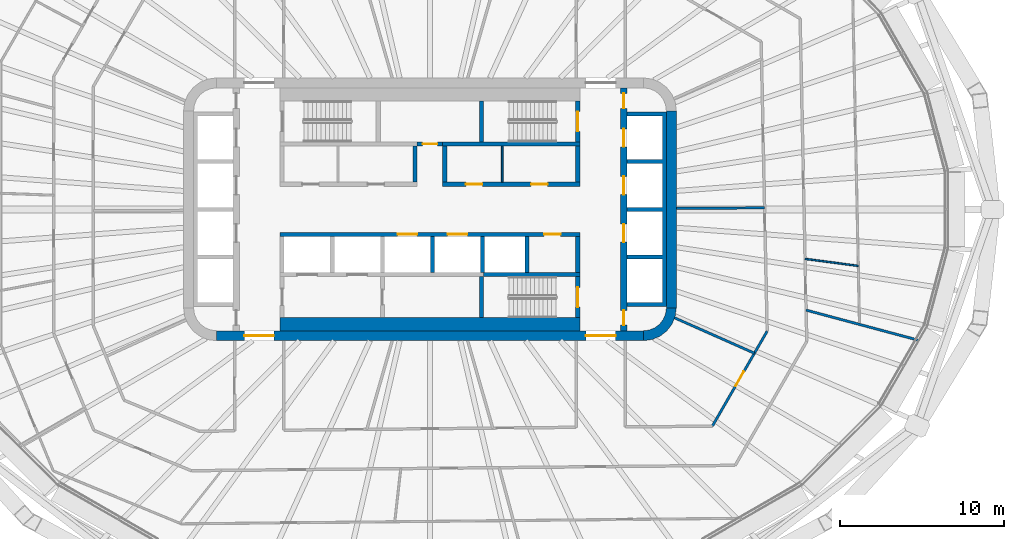
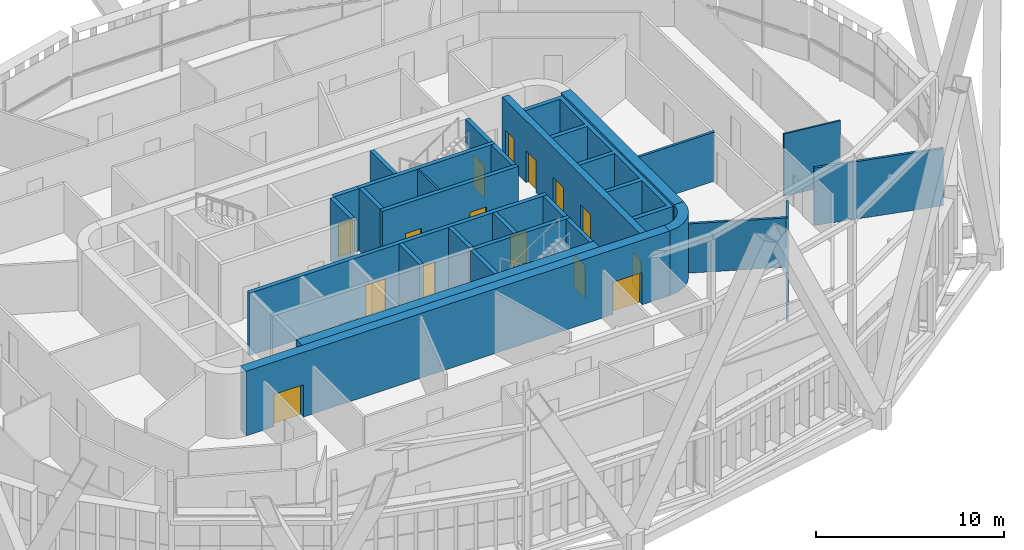
# One storey, part 15 of 25: 28 walls, 16 doors, 16 openings.
"""IFC4 building model written with IfcOpenShell, lengths in metres."""

import ifcopenshell
import ifcopenshell.guid

model = None  # the IFC model being written
_history = None  # IfcOwnerHistory: only IFC2X3 demands one
_inside = {}  # id of a spatial element -> (the spatial element, [elements in it])
_under = {}  # id of a project, library or spatial element -> (it, [spatial elements below it])
_declared = {}  # id of a project -> (the project, [libraries it declares])
_typed = {}  # id of a type object -> (the type object, [elements of that type])
_made_of = {}  # id of a material, layer set ... -> (it, [elements and type objects made of it])


def new_model(schema):
    """Start an empty IFC model of exactly this schema.

    Asked for "IFC4X3", IfcOpenShell would pick the latest addendum, in which some entities
    have other attributes; the version numbers below select the first issue.
    IFC2X3 requires an IfcOwnerHistory on every rooted entity: one is made here for all.
    """
    global model, _history
    if schema == "IFC4X3":
        model = ifcopenshell.file(schema_version=(4, 3, 0, 0))
    else:
        model = ifcopenshell.file(schema=schema)
    _inside.clear()
    _under.clear()
    _declared.clear()
    _typed.clear()
    _made_of.clear()
    _history = None
    if model.schema == "IFC2X3":
        org = make("IfcOrganization", Name="unknown")
        user = make(
            "IfcPersonAndOrganization",
            ThePerson=make("IfcPerson", FamilyName="unknown"),
            TheOrganization=org,
        )
        app = make(
            "IfcApplication",
            ApplicationDeveloper=org,
            Version="unknown",
            ApplicationFullName="unknown",
            ApplicationIdentifier="unknown",
        )
        _history = make(
            "IfcOwnerHistory",
            OwningUser=user,
            OwningApplication=app,
            ChangeAction="ADDED",
            CreationDate=0,
        )
    return model


def make(cls, **values):
    """One entity of the class cls with the attributes given. An attribute that is None is left unset."""
    return model.create_entity(
        cls, **{name: value for name, value in values.items() if value is not None}
    )


def rooted(cls, **values):
    """An entity with a GlobalId (a new one), such as an element, a storey or a relation."""
    return make(cls, GlobalId=ifcopenshell.guid.new(), OwnerHistory=_history, **values)


def si_unit(unit_type, name, prefix=None):
    """IfcSIUnit, for example si_unit("LENGTHUNIT", "METRE", prefix="MILLI")."""
    return make("IfcSIUnit", UnitType=unit_type, Prefix=prefix, Name=name)


def assignment(units):
    """IfcUnitAssignment: the units of a project."""
    return None if units is None else make("IfcUnitAssignment", Units=units)


def point(xyz):
    """IfcCartesianPoint."""
    return None if xyz is None else make("IfcCartesianPoint", Coordinates=xyz)


def direction(xyz):
    """IfcDirection."""
    return None if xyz is None else make("IfcDirection", DirectionRatios=xyz)


def frame(location, z_axis=None, x_axis=None):
    """IfcAxis2Placement3D, a coordinate frame: its origin and axes. An axis left out is left unset."""
    return make(
        "IfcAxis2Placement3D",
        Location=point(location),
        Axis=direction(z_axis),
        RefDirection=direction(x_axis),
    )


def frame_2d(location, x_axis=None):
    """IfcAxis2Placement2D, a coordinate frame in the plane: its origin and x axis."""
    return make(
        "IfcAxis2Placement2D", Location=point(location), RefDirection=direction(x_axis)
    )


def origin():
    """The frame at (0, 0, 0) with its axes left unset."""
    return frame((0.0, 0.0, 0.0))


def place(relative_to, where):
    """IfcLocalPlacement: puts the frame where relative to a parent placement (None: the world)."""
    return make(
        "IfcLocalPlacement", PlacementRelTo=relative_to, RelativePlacement=where
    )


def context(
    kind, dimensions, precision=None, world=None, true_north=None, identifier=None
):
    """IfcGeometricRepresentationContext, for example the 3D "Model" context."""
    return make(
        "IfcGeometricRepresentationContext",
        ContextIdentifier=identifier,
        ContextType=kind,
        CoordinateSpaceDimension=dimensions,
        Precision=precision,
        WorldCoordinateSystem=world,
        TrueNorth=true_north,
    )


def subcontext(parent, identifier, kind, view, scale=None):
    """IfcGeometricRepresentationSubContext, for example "Body" below "Model"."""
    return make(
        "IfcGeometricRepresentationSubContext",
        ContextIdentifier=identifier,
        ContextType=kind,
        ParentContext=parent,
        TargetScale=scale,
        TargetView=view,
    )


def project(units=None, contexts=None):
    """IfcProject with its units and contexts."""
    return rooted(
        "IfcProject",
        Name="project",
        RepresentationContexts=contexts,
        UnitsInContext=assignment(units),
    )


def spatial(cls, under=None, at=None, **own):
    """A site, building, storey or space (cls), placed at a placement, below another one or the project."""
    s = rooted(cls, ObjectPlacement=at, **own)
    if under is not None:
        _under.setdefault(under.id(), (under, []))[1].append(s)
    return s


def polyline(points):
    """IfcPolyline through the points."""
    return make("IfcPolyline", Points=[point(p) for p in points])


def profile(cls, at=None, kind="AREA", **sizes):
    """A parametric profile (cls). Its sizes go by their IFC names, for example OverallWidth=200.0."""
    return make(cls, ProfileType=kind, Position=at, **sizes)


def rectangle(**sizes):
    """IfcRectangleProfileDef."""
    return profile("IfcRectangleProfileDef", **sizes)


def outline(outer, holes=None, kind="AREA"):
    """IfcArbitraryClosedProfileDef: a profile drawn as a closed curve; with holes, ...WithVoids."""
    if holes is None:
        return make("IfcArbitraryClosedProfileDef", ProfileType=kind, OuterCurve=outer)
    return make(
        "IfcArbitraryProfileDefWithVoids",
        ProfileType=kind,
        OuterCurve=outer,
        InnerCurves=holes,
    )


def extrude(swept, where, along, depth):
    """IfcExtrudedAreaSolid: the profile swept, set in the frame where, extruded along a direction by depth."""
    return make(
        "IfcExtrudedAreaSolid",
        SweptArea=swept,
        Position=where,
        ExtrudedDirection=direction(along),
        Depth=depth,
    )


def shape(context_of_items, identifier, shape_type, items):
    """IfcShapeRepresentation: the items that make up one representation, for example the "Body"."""
    return make(
        "IfcShapeRepresentation",
        ContextOfItems=context_of_items,
        RepresentationIdentifier=identifier,
        RepresentationType=shape_type,
        Items=items,
    )


def material(Name=None, Category=None):
    """IfcMaterial."""
    return make("IfcMaterial", Name=Name, Category=Category)


def layer(
    of_material, thickness, ventilated=None, Name=None, Category=None, Priority=None
):
    """IfcMaterialLayer: one layer of a wall or slab, of a material (None: an air gap)."""
    return make(
        "IfcMaterialLayer",
        Material=of_material,
        LayerThickness=thickness,
        IsVentilated=ventilated,
        Name=Name,
        Category=Category,
        Priority=Priority,
    )


def layer_set(layers, Name=None):
    """IfcMaterialLayerSet."""
    return make("IfcMaterialLayerSet", MaterialLayers=layers, LayerSetName=Name)


def made_of(thing, what):
    """Note that an element or type object is made of a material, layer set ...; save() writes the relation."""
    if what is not None:
        _made_of.setdefault(what.id(), (what, []))[1].append(thing)
    return thing


def type_object(cls, material=None, **own):
    """A type object (cls), such as IfcWallType, which elements share."""
    return made_of(rooted(cls, **own), material)


def element(
    cls,
    number,
    at=None,
    inside=None,
    cuts=None,
    type_object=None,
    material=None,
    context=None,
    identifier="Body",
    shape_type=None,
    held_by="IfcProductDefinitionShape",
    body=None,
    shapes=None,
    **own,
):
    """One element of the class cls, such as IfcWall. Its Tag is "e" and its number.

    at: its placement. inside: the storey or other place that contains it. cuts: it is an
    opening in that element (IfcRelVoidsElement). A single representation is given by context,
    identifier, shape_type and body (its items); several are given by shapes. held_by: the class
    of the entity that holds the representations. save() writes the other relations.
    """
    e = rooted(cls, Tag="e%d" % number, ObjectPlacement=at, **own)
    if body is not None:
        shapes = [shape(context, identifier, shape_type, body)]
    if shapes is not None:
        e.Representation = make(held_by, Representations=shapes)
    if inside is not None:
        _inside.setdefault(inside.id(), (inside, []))[1].append(e)
    if cuts is not None:
        rooted(
            "IfcRelVoidsElement", RelatingBuildingElement=cuts, RelatedOpeningElement=e
        )
    if type_object is not None:
        _typed.setdefault(type_object.id(), (type_object, []))[1].append(e)
    return made_of(e, material)


def fill(opening, filler):
    """IfcRelFillsElement: the door or window that sits in an opening."""
    return rooted(
        "IfcRelFillsElement",
        RelatingOpeningElement=opening,
        RelatedBuildingElement=filler,
    )


def aggregate(whole, parts):
    """IfcRelAggregates: a whole, such as a stair, and the parts it consists of."""
    return rooted("IfcRelAggregates", RelatingObject=whole, RelatedObjects=parts)


def save(model, path):
    """Write the relations noted so far, then the file.

    IfcRelAggregates (storeys below a building ...), IfcRelContainedInSpatialStructure (elements
    in a storey), IfcRelDefinesByType, IfcRelAssociatesMaterial and IfcRelDeclares: one each for
    every whole, place, type object, material and project.
    """
    for whole, parts in _under.values():
        aggregate(whole, parts)
    for where, things in _inside.values():
        rooted(
            "IfcRelContainedInSpatialStructure",
            RelatedElements=things,
            RelatingStructure=where,
        )
    for kind, things in _typed.values():
        rooted("IfcRelDefinesByType", RelatedObjects=things, RelatingType=kind)
    for what, things in _made_of.values():
        rooted("IfcRelAssociatesMaterial", RelatedObjects=things, RelatingMaterial=what)
    for by, libraries in _declared.values():
        rooted("IfcRelDeclares", RelatingContext=by, RelatedDefinitions=libraries)
    model.write(path)


model = new_model("IFC4")

# Units and contexts
model_context = context("Model", 3, precision=1e-05, world=origin(), true_north=direction((0.0, 1.0)))
body_context = subcontext(model_context, "Body", "Model", "MODEL_VIEW")
ifc_project = project(units=[si_unit("LENGTHUNIT", "METRE"), si_unit("AREAUNIT", "SQUARE_METRE"), si_unit("VOLUMEUNIT", "CUBIC_METRE"), si_unit("PLANEANGLEUNIT", "RADIAN"), si_unit("MASSUNIT", "GRAM", prefix="KILO")], contexts=[model_context])

# Site, building, storey
site_placement = place(None, origin())
site = spatial("IfcSite", under=ifc_project, at=site_placement, CompositionType="ELEMENT")
building_placement = place(site_placement, origin())
building = spatial("IfcBuilding", under=site, at=building_placement, Name="Sahrelin Media Tower", CompositionType="ELEMENT")
storey_placement = place(building_placement, frame((0.0, 0.0, 79.800048828125)))
storey = spatial("IfcBuildingStorey", under=building, at=storey_placement, Name="L14", CompositionType="ELEMENT", Elevation=79.800048828125)

# Wall, openings, doors
ifc_material_1 = material(Name="Concrete C60/75", Category="concrete")
ifc_layer_1 = layer(ifc_material_1, 0.60009765625)
ifc_layer_set_1 = layer_set([ifc_layer_1], Name="Core wall 600")
wall_type_1 = type_object("IfcWallType", Name="Core wall 600", PredefinedType="SHEAR", material=ifc_layer_set_1)
wall_1_placement = place(storey_placement, frame((-13.0, -7.699951171875, 0.0), z_axis=(0.0, 0.0, 1.0), x_axis=(1.0, 0.0, 0.0)))
wall_1 = element("IfcWall", 1, at=wall_1_placement, inside=storey, type_object=wall_type_1, Name="Core wall S L14", PredefinedType="SHEAR", context=body_context, shape_type="SweptSolid", body=[
    extrude(rectangle(XDim=26.0, YDim=0.60009765625, at=frame_2d((13.0, 0.0))), origin(), (0.0, 0.0, 1.0), 4.199951171875),
])
opening_1_placement = place(wall_1_placement, frame((1.699951171875, 0.0, 0.0)))
opening_1 = element("IfcOpeningElement", 2, at=opening_1_placement, cuts=wall_1, Name="Opening L14-D18", PredefinedType="OPENING", context=body_context, shape_type="SweptSolid", body=[
    extrude(rectangle(XDim=1.800048828125, YDim=2.10009765625, at=frame_2d((0.89990234375, 1.050048828125))), frame((0.0, 0.300048828125, 0.0), z_axis=(0.0, -1.0, 0.0), x_axis=(1.0, 0.0, 0.0)), (0.0, 0.0, 1.0), 0.60009765625),
])
opening_2_placement = place(wall_1_placement, frame((22.5, 0.0, 0.0)))
opening_2 = element("IfcOpeningElement", 3, at=opening_2_placement, cuts=wall_1, Name="Opening L14-D19", PredefinedType="OPENING", context=body_context, shape_type="SweptSolid", body=[
    extrude(rectangle(XDim=1.800048828125, YDim=2.10009765625, at=frame_2d((0.89990234375, 1.050048828125))), frame((0.0, 0.300048828125, 0.0), z_axis=(0.0, -1.0, 0.0), x_axis=(1.0, 0.0, 0.0)), (0.0, 0.0, 1.0), 0.60009765625),
])
ifc_material_2 = material(Name="Steel fire door leaf", Category="steel")
door_type_1 = type_object("IfcDoorType", Name="Lobby double door 1800 x 2100 EI 60", OperationType="DOUBLE_DOOR_SINGLE_SWING", PredefinedType="DOOR", material=ifc_material_2)
door_1_placement = place(opening_1_placement, origin())
door_1 = element("IfcDoor", 4, at=door_1_placement, inside=storey, type_object=door_type_1, Name="Lobby door", OperationType="DOUBLE_DOOR_SINGLE_SWING", OverallHeight=2.10009765625, OverallWidth=1.800048828125, PredefinedType="DOOR", context=body_context, shape_type="SweptSolid", body=[
    extrude(rectangle(XDim=1.800048828125, YDim=2.10009765625, at=frame_2d((0.89990234375, 1.050048828125))), frame((0.0, 0.02490234375, 0.0), z_axis=(0.0, -1.0, 0.0), x_axis=(1.0, 0.0, 0.0)), (0.0, 0.0, 1.0), 0.050048828125),
])
fill(opening_1, door_1)
door_2_placement = place(opening_2_placement, origin())
door_2 = element("IfcDoor", 5, at=door_2_placement, inside=storey, type_object=door_type_1, Name="Lobby door", OperationType="DOUBLE_DOOR_SINGLE_SWING", OverallHeight=2.10009765625, OverallWidth=1.800048828125, PredefinedType="DOOR", context=body_context, shape_type="SweptSolid", body=[
    extrude(rectangle(XDim=1.800048828125, YDim=2.10009765625, at=frame_2d((0.89990234375, 1.050048828125))), frame((0.0, 0.02490234375, 0.0), z_axis=(0.0, -1.0, 0.0), x_axis=(1.0, 0.0, 0.0)), (0.0, 0.0, 1.0), 0.050048828125),
])
fill(opening_2, door_2)

# Walls
wall_2_placement = place(storey_placement, frame((14.699951171875, -6.0, 0.0), z_axis=(0.0, 0.0, 1.0), x_axis=(0.0, 1.0, 0.0)))
element("IfcWall", 6, at=wall_2_placement, inside=storey, type_object=wall_type_1, Name="Core wall E L14", PredefinedType="SHEAR", context=body_context, shape_type="SweptSolid", body=[
    extrude(rectangle(XDim=12.0, YDim=0.60009765625, at=frame_2d((6.0, 0.0))), origin(), (0.0, 0.0, 1.0), 4.199951171875),
])
placement = place(storey_placement, origin())
element("IfcWall", 7, at=placement, inside=storey, type_object=wall_type_1, Name="Core wall corner SE L14", PredefinedType="SHEAR", context=body_context, shape_type="SweptSolid", body=[
    extrude(outline(polyline([(15.0, -6.0), (14.394775390625, -6.0), (14.347412109375, -6.361083984375), (14.2080078125, -6.697509765625), (13.986328125, -6.986328125), (13.697509765625, -7.2080078125), (13.361083984375, -7.347412109375), (13.0, -7.394775390625), (13.0, -8.0), (13.517578125, -7.931884765625), (14.0, -7.732177734375), (14.414306640625, -7.414306640625), (14.732177734375, -7.0), (14.931884765625, -6.517578125), (15.0, -6.0)])), origin(), (0.0, 0.0, 1.0), 4.199951171875),
])

# Wall, opening, door
ifc_material_3 = material(Name="Fire-rated gypsum board partition")
ifc_layer_2 = layer(ifc_material_3, 0.25)
ifc_layer_set_2 = layer_set([ifc_layer_2], Name="Fire-rated lobby wall 250")
wall_type_2 = type_object("IfcWallType", Name="Fire-rated lobby wall 250", PredefinedType="PARTITIONING", material=ifc_layer_set_2)
wall_4_placement = place(storey_placement, frame((-0.77490234375, 3.97509765625, 0.0), z_axis=(0.0, 0.0, 1.0), x_axis=(1.0, 0.0, 0.0)))
wall_4 = element("IfcWall", 8, at=wall_4_placement, inside=storey, type_object=wall_type_2, Name="Core lobby wall", PredefinedType="PARTITIONING", context=body_context, shape_type="SweptSolid", body=[
    extrude(rectangle(XDim=1.5498046875, YDim=0.25, at=frame_2d((0.77490234375, 0.0))), origin(), (0.0, 0.0, 1.0), 4.050048828125),
])
opening_3_placement = place(wall_4_placement, frame((0.324951171875, 0.0, 0.0)))
opening_3 = element("IfcOpeningElement", 9, at=opening_3_placement, cuts=wall_4, Name="Opening L14-D06", PredefinedType="OPENING", context=body_context, shape_type="SweptSolid", body=[
    extrude(rectangle(XDim=0.89990234375, YDim=2.10009765625, at=frame_2d((0.449951171875, 1.050048828125))), frame((0.0, 0.125, 0.0), z_axis=(0.0, -1.0, 0.0), x_axis=(1.0, 0.0, 0.0)), (0.0, 0.0, 1.0), 0.25),
])
door_type_2 = type_object("IfcDoorType", Name="Riser door 900 x 2100 EI 120", OperationType="NOTDEFINED", PredefinedType="DOOR", material=ifc_material_2)
door_3_placement = place(opening_3_placement, origin())
door_3 = element("IfcDoor", 10, at=door_3_placement, inside=storey, type_object=door_type_2, Name="Core room door", OperationType="SINGLE_SWING_LEFT", OverallHeight=2.10009765625, OverallWidth=0.89990234375, PredefinedType="DOOR", context=body_context, shape_type="SweptSolid", body=[
    extrude(rectangle(XDim=0.89990234375, YDim=2.10009765625, at=frame_2d((0.449951171875, 1.050048828125))), frame((0.0, 0.02490234375, 0.0), z_axis=(0.0, -1.0, 0.0), x_axis=(1.0, 0.0, 0.0)), (0.0, 0.0, 1.0), 0.050048828125),
])
fill(opening_3, door_3)

# Wall, openings, doors
wall_5_placement = place(storey_placement, frame((0.77490234375, 1.52490234375, 0.0), z_axis=(0.0, 0.0, 1.0), x_axis=(1.0, 0.0, 0.0)))
wall_5 = element("IfcWall", 11, at=wall_5_placement, inside=storey, type_object=wall_type_2, Name="Core lobby wall", PredefinedType="PARTITIONING", context=body_context, shape_type="SweptSolid", body=[
    extrude(rectangle(XDim=8.35009765625, YDim=0.25, at=frame_2d((4.175048828125, 0.0))), origin(), (0.0, 0.0, 1.0), 4.050048828125),
])
opening_4_placement = place(wall_5_placement, frame((1.41259765625, 0.0, 0.0)))
opening_4 = element("IfcOpeningElement", 12, at=opening_4_placement, cuts=wall_5, Name="Opening L14-D09", PredefinedType="OPENING", context=body_context, shape_type="SweptSolid", body=[
    extrude(rectangle(XDim=1.0, YDim=2.10009765625, at=frame_2d((0.5, 1.050048828125))), frame((0.0, 0.125, 0.0), z_axis=(0.0, -1.0, 0.0), x_axis=(1.0, 0.0, 0.0)), (0.0, 0.0, 1.0), 0.25),
])
opening_5_placement = place(wall_5_placement, frame((5.387451171875, 0.0, 0.0)))
opening_5 = element("IfcOpeningElement", 13, at=opening_5_placement, cuts=wall_5, Name="Opening L14-D10", PredefinedType="OPENING", context=body_context, shape_type="SweptSolid", body=[
    extrude(rectangle(XDim=1.0, YDim=2.10009765625, at=frame_2d((0.5, 1.050048828125))), frame((0.0, 0.125, 0.0), z_axis=(0.0, -1.0, 0.0), x_axis=(1.0, 0.0, 0.0)), (0.0, 0.0, 1.0), 0.25),
])
door_type_3 = type_object("IfcDoorType", Name="Fire door 1000 x 2100 EI 60", OperationType="NOTDEFINED", PredefinedType="DOOR", material=ifc_material_2)
door_4_placement = place(opening_4_placement, origin())
door_4 = element("IfcDoor", 14, at=door_4_placement, inside=storey, type_object=door_type_3, Name="Core room door", OperationType="SINGLE_SWING_LEFT", OverallHeight=2.10009765625, OverallWidth=1.0, PredefinedType="DOOR", context=body_context, shape_type="SweptSolid", body=[
    extrude(rectangle(XDim=1.0, YDim=2.10009765625, at=frame_2d((0.5, 1.050048828125))), frame((0.0, 0.02490234375, 0.0), z_axis=(0.0, -1.0, 0.0), x_axis=(1.0, 0.0, 0.0)), (0.0, 0.0, 1.0), 0.050048828125),
])
fill(opening_4, door_4)
door_5_placement = place(opening_5_placement, origin())
door_5 = element("IfcDoor", 15, at=door_5_placement, inside=storey, type_object=door_type_3, Name="Core room door", OperationType="SINGLE_SWING_LEFT", OverallHeight=2.10009765625, OverallWidth=1.0, PredefinedType="DOOR", context=body_context, shape_type="SweptSolid", body=[
    extrude(rectangle(XDim=1.0, YDim=2.10009765625, at=frame_2d((0.5, 1.050048828125))), frame((0.0, 0.02490234375, 0.0), z_axis=(0.0, -1.0, 0.0), x_axis=(1.0, 0.0, 0.0)), (0.0, 0.0, 1.0), 0.050048828125),
])
fill(opening_5, door_5)

# Walls
for number, where, z_axis, x_axis, name in (
    (16, (-0.89990234375, 1.64990234375, 0.0), (0.0, 0.0, 1.0), (0.0, 1.0, 0.0), "Core lobby wall"),
    (17, (9.0, 1.64990234375, 0.0), (0.0, 0.0, 1.0), (0.0, 1.0, 0.0), "Core lobby wall"),
    (18, (0.89990234375, 1.64990234375, 0.0), (0.0, 0.0, 1.0), (0.0, 1.0, 0.0), "Core lobby wall"),
):
    element("IfcWall", number, at=place(storey_placement, frame(where, z_axis=z_axis, x_axis=x_axis)), inside=storey, type_object=wall_type_2, Name=name, PredefinedType="PARTITIONING", context=body_context, shape_type="SweptSolid", body=[
        extrude(rectangle(XDim=2.2001953125, YDim=0.25, at=frame_2d((1.10009765625, 0.0))), origin(), (0.0, 0.0, 1.0), 4.050048828125),
    ])
ifc_layer_3 = layer(ifc_material_3, 0.10009765625)
ifc_layer_set_3 = layer_set([ifc_layer_3], Name="Fire-rated partition 100")
wall_type_3 = type_object("IfcWallType", Name="Fire-rated partition 100", PredefinedType="PARTITIONING", material=ifc_layer_set_3)
wall_6_placement = place(storey_placement, frame((4.39990234375, 1.64990234375, 0.0), z_axis=(0.0, 0.0, 1.0), x_axis=(0.0, 1.0, 0.0)))
element("IfcWall", 19, at=wall_6_placement, inside=storey, type_object=wall_type_3, Name="Core room partition", PredefinedType="PARTITIONING", context=body_context, shape_type="SweptSolid", body=[
    extrude(rectangle(XDim=2.2001953125, YDim=0.10009765625, at=frame_2d((1.10009765625, 0.0))), origin(), (0.0, 0.0, 1.0), 4.050048828125),
])
ifc_layer_4 = layer(ifc_material_3, 0.14990234375)
ifc_layer_set_4 = layer_set([ifc_layer_4], Name="Fire-rated partition 150")
wall_type_4 = type_object("IfcWallType", Name="Fire-rated partition 150", PredefinedType="PARTITIONING", material=ifc_layer_set_4)
wall_7_placement = place(storey_placement, frame((14.89501953125, -6.60693359375, 0.0), z_axis=(0.0, 0.0, 1.0), x_axis=(0.914233271379, -0.405188259337, 0.0)))
element("IfcWall", 20, at=wall_7_placement, inside=storey, type_object=wall_type_4, Name="Wall", PredefinedType="PARTITIONING", context=body_context, shape_type="SweptSolid", body=[
    extrude(rectangle(XDim=5.3173828125, YDim=0.14990234375, at=frame_2d((2.65869140625, 0.0))), origin(), (0.0, 0.0, 1.0), 3.195068359375),
])
wall_8_placement = place(storey_placement, frame((22.905029296875, -6.137939453125, 0.0), z_axis=(0.0, 0.0, 1.0), x_axis=(0.965925533901, -0.258820136309, 0.0)))
element("IfcWall", 21, at=wall_8_placement, inside=storey, type_object=wall_type_4, Name="Wall", PredefinedType="PARTITIONING", context=body_context, shape_type="SweptSolid", body=[
    extrude(rectangle(XDim=7.1142578125, YDim=0.14990234375, at=frame_2d((3.55712890625, 0.0))), origin(), (0.0, 0.0, 1.0), 3.7265625),
])
wall_9_placement = place(storey_placement, frame((15.0, 0.06298828125, 0.0), z_axis=(0.0, 0.0, 1.0), x_axis=(0.999990294223, 0.004405843865, 0.0)))
element("IfcWall", 22, at=wall_9_placement, inside=storey, type_object=wall_type_4, Name="Wall", PredefinedType="PARTITIONING", context=body_context, shape_type="SweptSolid", body=[
    extrude(rectangle(XDim=5.375, YDim=0.14990234375, at=frame_2d((2.6875, 0.0))), origin(), (0.0, 0.0, 1.0), 3.195068359375),
])

# Wall, opening, door
wall_10_placement = place(storey_placement, frame((17.194091796875, -13.200927734375, 0.0), z_axis=(0.0, 0.0, 1.0), x_axis=(0.499983182885, 0.866035112932, 0.0)))
wall_10 = element("IfcWall", 23, at=wall_10_placement, inside=storey, type_object=wall_type_4, Name="Wall", PredefinedType="PARTITIONING", context=body_context, shape_type="SweptSolid", body=[
    extrude(rectangle(XDim=6.673583984375, YDim=0.14990234375, at=frame_2d((3.3369140625, 0.0))), origin(), (0.0, 0.0, 1.0), 3.195068359375),
])
opening_6_placement = place(wall_10_placement, frame((2.833984375, 0.0, 0.0)))
opening_6 = element("IfcOpeningElement", 24, at=opening_6_placement, cuts=wall_10, Name="Opening L14-D23", PredefinedType="OPENING", context=body_context, shape_type="SweptSolid", body=[
    extrude(rectangle(XDim=1.0, YDim=2.10009765625, at=frame_2d((0.5, 1.050048828125))), frame((0.0, 0.074951171875, 0.0), z_axis=(0.0, -1.0, 0.0), x_axis=(1.0, 0.0, 0.0)), (0.0, 0.0, 1.0), 0.14990234375),
])
door_6_placement = place(opening_6_placement, origin())
door_6 = element("IfcDoor", 25, at=door_6_placement, inside=storey, type_object=door_type_3, Name="Fire door", OperationType="SINGLE_SWING_LEFT", OverallHeight=2.10009765625, OverallWidth=1.0, PredefinedType="DOOR", context=body_context, shape_type="SweptSolid", body=[
    extrude(rectangle(XDim=1.0, YDim=2.10009765625, at=frame_2d((0.5, 1.050048828125))), frame((0.0, 0.02490234375, 0.0), z_axis=(0.0, -1.0, 0.0), x_axis=(1.0, 0.0, 0.0)), (0.0, 0.0, 1.0), 0.050048828125),
])
fill(opening_6, door_6)

# Wall, openings, doors
ifc_layer_5 = layer(ifc_material_1, 0.25)
ifc_layer_set_5 = layer_set([ifc_layer_5], Name="Lift shaft wall 250")
wall_type_5 = type_object("IfcWallType", Name="Lift shaft wall 250", PredefinedType="SOLIDWALL", material=ifc_layer_set_5)
wall_11_placement = place(storey_placement, frame((-9.125, -1.52490234375, 0.0), z_axis=(0.0, 0.0, 1.0), x_axis=(1.0, 0.0, 0.0)))
wall_11 = element("IfcWall", 26, at=wall_11_placement, inside=storey, type_object=wall_type_5, Name="Lift shaft wall", PredefinedType="SOLIDWALL", context=body_context, shape_type="SweptSolid", body=[
    extrude(rectangle(XDim=18.25, YDim=0.25, at=frame_2d((9.125, 0.0))), origin(), (0.0, 0.0, 1.0), 4.050048828125),
])
opening_7_placement = place(wall_11_placement, frame((7.14990234375, 0.0, 0.0)))
opening_7 = element("IfcOpeningElement", 27, at=opening_7_placement, cuts=wall_11, Name="Opening L14-LD-SV1", PredefinedType="OPENING", context=body_context, shape_type="SweptSolid", body=[
    extrude(rectangle(XDim=1.199951171875, YDim=2.10009765625, at=frame_2d((0.60009765625, 1.050048828125))), frame((0.0, 0.125, 0.0), z_axis=(0.0, -1.0, 0.0), x_axis=(1.0, 0.0, 0.0)), (0.0, 0.0, 1.0), 0.25),
])
opening_8_placement = place(wall_11_placement, frame((10.199951171875, 0.0, 0.0)))
opening_8 = element("IfcOpeningElement", 28, at=opening_8_placement, cuts=wall_11, Name="Opening L14-LD-SV2", PredefinedType="OPENING", context=body_context, shape_type="SweptSolid", body=[
    extrude(rectangle(XDim=1.199951171875, YDim=2.10009765625, at=frame_2d((0.60009765625, 1.050048828125))), frame((0.0, 0.125, 0.0), z_axis=(0.0, -1.0, 0.0), x_axis=(1.0, 0.0, 0.0)), (0.0, 0.0, 1.0), 0.25),
])
opening_9_placement = place(wall_11_placement, frame((16.074951171875, 0.0, 0.0)))
opening_9 = element("IfcOpeningElement", 29, at=opening_9_placement, cuts=wall_11, Name="Opening L14-D11", PredefinedType="OPENING", context=body_context, shape_type="SweptSolid", body=[
    extrude(rectangle(XDim=1.0, YDim=2.10009765625, at=frame_2d((0.5, 1.050048828125))), frame((0.0, 0.125, 0.0), z_axis=(0.0, -1.0, 0.0), x_axis=(1.0, 0.0, 0.0)), (0.0, 0.0, 1.0), 0.25),
])
door_7_placement = place(opening_9_placement, origin())
door_7 = element("IfcDoor", 30, at=door_7_placement, inside=storey, type_object=door_type_3, Name="Core room door", OperationType="SINGLE_SWING_RIGHT", OverallHeight=2.10009765625, OverallWidth=1.0, PredefinedType="DOOR", context=body_context, shape_type="SweptSolid", body=[
    extrude(rectangle(XDim=1.0, YDim=2.10009765625, at=frame_2d((0.5, 1.050048828125))), frame((0.0, 0.02490234375, 0.0), z_axis=(0.0, -1.0, 0.0), x_axis=(1.0, 0.0, 0.0)), (0.0, 0.0, 1.0), 0.050048828125),
])
fill(opening_9, door_7)
ifc_material_4 = material(Name="Stainless steel", Category="steel")
door_type_4 = type_object("IfcDoorType", Name="Lift landing door 1200 x 2100 EI 120", OperationType="DOUBLE_DOOR_SLIDING", PredefinedType="DOOR", material=ifc_material_4)
door_8_placement = place(opening_7_placement, origin())
door_8 = element("IfcDoor", 31, at=door_8_placement, inside=storey, type_object=door_type_4, Name="Lift landing door SV1", OperationType="DOUBLE_DOOR_SLIDING", OverallHeight=2.10009765625, OverallWidth=1.199951171875, PredefinedType="DOOR", context=body_context, shape_type="SweptSolid", body=[
    extrude(rectangle(XDim=1.199951171875, YDim=2.10009765625, at=frame_2d((0.60009765625, 1.050048828125))), frame((0.0, 0.02490234375, 0.0), z_axis=(0.0, -1.0, 0.0), x_axis=(1.0, 0.0, 0.0)), (0.0, 0.0, 1.0), 0.050048828125),
])
fill(opening_7, door_8)
door_9_placement = place(opening_8_placement, origin())
door_9 = element("IfcDoor", 32, at=door_9_placement, inside=storey, type_object=door_type_4, Name="Lift landing door SV2", OperationType="DOUBLE_DOOR_SLIDING", OverallHeight=2.10009765625, OverallWidth=1.199951171875, PredefinedType="DOOR", context=body_context, shape_type="SweptSolid", body=[
    extrude(rectangle(XDim=1.199951171875, YDim=2.10009765625, at=frame_2d((0.60009765625, 1.050048828125))), frame((0.0, 0.02490234375, 0.0), z_axis=(0.0, -1.0, 0.0), x_axis=(1.0, 0.0, 0.0)), (0.0, 0.0, 1.0), 0.050048828125),
])
fill(opening_8, door_9)

# Walls
wall_12_placement = place(storey_placement, frame((3.27490234375, -3.97509765625, 0.0), z_axis=(0.0, 0.0, 1.0), x_axis=(1.0, 0.0, 0.0)))
element("IfcWall", 33, at=wall_12_placement, inside=storey, type_object=wall_type_5, Name="Lift shaft wall", PredefinedType="SOLIDWALL", context=body_context, shape_type="SweptSolid", body=[
    extrude(rectangle(XDim=5.85009765625, YDim=0.25, at=frame_2d((2.925048828125, 0.0))), origin(), (0.0, 0.0, 1.0), 4.050048828125),
])
for number, where, z_axis, x_axis, name in (
    (34, (0.14990234375, -3.85009765625, 0.0), (0.0, 0.0, 1.0), (0.0, 1.0, 0.0), "Lift shaft wall"),
    (35, (3.199951171875, -3.85009765625, 0.0), (0.0, 0.0, 1.0), (0.0, 1.0, 0.0), "Lift shaft wall"),
    (36, (5.89990234375, -3.85009765625, 0.0), (0.0, 0.0, 1.0), (0.0, 1.0, 0.0), "Lift shaft wall"),
    (37, (9.0, -3.85009765625, 0.0), (0.0, 0.0, 1.0), (0.0, 1.0, 0.0), "Lift shaft wall"),
):
    element("IfcWall", number, at=place(storey_placement, frame(where, z_axis=z_axis, x_axis=x_axis)), inside=storey, type_object=wall_type_5, Name=name, PredefinedType="SOLIDWALL", context=body_context, shape_type="SweptSolid", body=[
        extrude(rectangle(XDim=2.2001953125, YDim=0.25, at=frame_2d((1.10009765625, 0.0))), origin(), (0.0, 0.0, 1.0), 4.050048828125),
    ])
element("IfcWall", 38, at=placement, inside=storey, type_object=wall_type_5, Name="Lift shaft wall", PredefinedType="SOLIDWALL", context=body_context, shape_type="SweptSolid", body=[
    extrude(outline(polyline([(12.0, -5.675048828125), (12.0, -5.925048828125), (14.14990234375, -5.925048828125), (14.39990234375, -5.925048828125), (14.39990234375, -5.675048828125), (14.39990234375, -3.02490234375), (14.39990234375, -2.77490234375), (14.39990234375, -0.125), (14.39990234375, 0.125), (14.39990234375, 2.77490234375), (14.39990234375, 3.02490234375), (14.39990234375, 5.675048828125), (14.39990234375, 5.925048828125), (14.14990234375, 5.925048828125), (12.0, 5.925048828125), (12.0, 5.675048828125), (14.14990234375, 5.675048828125), (14.14990234375, 3.02490234375), (12.0, 3.02490234375), (12.0, 2.77490234375), (14.14990234375, 2.77490234375), (14.14990234375, 0.125), (12.0, 0.125), (12.0, -0.125), (14.14990234375, -0.125), (14.14990234375, -2.77490234375), (12.0, -2.77490234375), (12.0, -3.02490234375), (14.14990234375, -3.02490234375), (14.14990234375, -5.675048828125), (12.0, -5.675048828125)])), origin(), (0.0, 0.0, 1.0), 4.050048828125),
])

# Wall, openings, doors
ifc_layer_6 = layer(ifc_material_1, 0.39990234375)
ifc_layer_set_6 = layer_set([ifc_layer_6], Name="Lift shaft wall 400")
wall_type_6 = type_object("IfcWallType", Name="Lift shaft wall 400", PredefinedType="SOLIDWALL", material=ifc_layer_set_6)
wall_14_placement = place(storey_placement, frame((11.800048828125, -7.39990234375, 0.0), z_axis=(0.0, 0.0, 1.0), x_axis=(0.0, 1.0, 0.0)))
wall_14 = element("IfcWall", 39, at=wall_14_placement, inside=storey, type_object=wall_type_6, Name="Lift shaft wall", PredefinedType="SOLIDWALL", context=body_context, shape_type="SweptSolid", body=[
    extrude(rectangle(XDim=14.7998046875, YDim=0.39990234375, at=frame_2d((7.39990234375, 0.0))), origin(), (0.0, 0.0, 1.0), 4.050048828125),
])
opening_10_placement = place(wall_14_placement, frame((11.199951171875, 0.0, 0.0)))
opening_10 = element("IfcOpeningElement", 40, at=opening_10_placement, cuts=wall_14, Name="Opening L14-LD-LR4", PredefinedType="OPENING", context=body_context, shape_type="SweptSolid", body=[
    extrude(rectangle(XDim=1.10009765625, YDim=2.10009765625, at=frame_2d((0.550048828125, 1.050048828125))), frame((0.0, 0.199951171875, 0.0), z_axis=(0.0, -1.0, 0.0), x_axis=(1.0, 0.0, 0.0)), (0.0, 0.0, 1.0), 0.39990234375),
])
opening_11_placement = place(wall_14_placement, frame((8.300048828125, 0.0, 0.0)))
opening_11 = element("IfcOpeningElement", 41, at=opening_11_placement, cuts=wall_14, Name="Opening L14-LD-LR5", PredefinedType="OPENING", context=body_context, shape_type="SweptSolid", body=[
    extrude(rectangle(XDim=1.10009765625, YDim=2.10009765625, at=frame_2d((0.550048828125, 1.050048828125))), frame((0.0, 0.199951171875, 0.0), z_axis=(0.0, -1.0, 0.0), x_axis=(1.0, 0.0, 0.0)), (0.0, 0.0, 1.0), 0.39990234375),
])
opening_12_placement = place(wall_14_placement, frame((5.39990234375, 0.0, 0.0)))
opening_12 = element("IfcOpeningElement", 42, at=opening_12_placement, cuts=wall_14, Name="Opening L14-LD-LR6", PredefinedType="OPENING", context=body_context, shape_type="SweptSolid", body=[
    extrude(rectangle(XDim=1.10009765625, YDim=2.10009765625, at=frame_2d((0.550048828125, 1.050048828125))), frame((0.0, 0.199951171875, 0.0), z_axis=(0.0, -1.0, 0.0), x_axis=(1.0, 0.0, 0.0)), (0.0, 0.0, 1.0), 0.39990234375),
])
opening_13_placement = place(wall_14_placement, frame((13.552490234375, 0.0, 0.0)))
opening_13 = element("IfcOpeningElement", 43, at=opening_13_placement, cuts=wall_14, Name="Opening L14-D14", PredefinedType="OPENING", context=body_context, shape_type="SweptSolid", body=[
    extrude(rectangle(XDim=0.89990234375, YDim=2.10009765625, at=frame_2d((0.449951171875, 1.050048828125))), frame((0.0, 0.199951171875, 0.0), z_axis=(0.0, -1.0, 0.0), x_axis=(1.0, 0.0, 0.0)), (0.0, 0.0, 1.0), 0.39990234375),
])
opening_14_placement = place(wall_14_placement, frame((0.347412109375, 0.0, 0.0)))
opening_14 = element("IfcOpeningElement", 44, at=opening_14_placement, cuts=wall_14, Name="Opening L14-D15", PredefinedType="OPENING", context=body_context, shape_type="SweptSolid", body=[
    extrude(rectangle(XDim=0.89990234375, YDim=2.10009765625, at=frame_2d((0.449951171875, 1.050048828125))), frame((0.0, 0.199951171875, 0.0), z_axis=(0.0, -1.0, 0.0), x_axis=(1.0, 0.0, 0.0)), (0.0, 0.0, 1.0), 0.39990234375),
])
door_type_5 = type_object("IfcDoorType", Name="Lift landing door 1100 x 2100 EI 120", OperationType="DOUBLE_DOOR_SLIDING", PredefinedType="DOOR", material=ifc_material_4)
door_10_placement = place(opening_10_placement, origin())
door_10 = element("IfcDoor", 45, at=door_10_placement, inside=storey, type_object=door_type_5, Name="Lift landing door LR4", OperationType="DOUBLE_DOOR_SLIDING", OverallHeight=2.10009765625, OverallWidth=1.10009765625, PredefinedType="DOOR", context=body_context, shape_type="SweptSolid", body=[
    extrude(rectangle(XDim=1.10009765625, YDim=2.10009765625, at=frame_2d((0.550048828125, 1.050048828125))), frame((0.0, 0.02490234375, 0.0), z_axis=(0.0, -1.0, 0.0), x_axis=(1.0, 0.0, 0.0)), (0.0, 0.0, 1.0), 0.050048828125),
])
fill(opening_10, door_10)
door_11_placement = place(opening_11_placement, origin())
door_11 = element("IfcDoor", 46, at=door_11_placement, inside=storey, type_object=door_type_5, Name="Lift landing door LR5", OperationType="DOUBLE_DOOR_SLIDING", OverallHeight=2.10009765625, OverallWidth=1.10009765625, PredefinedType="DOOR", context=body_context, shape_type="SweptSolid", body=[
    extrude(rectangle(XDim=1.10009765625, YDim=2.10009765625, at=frame_2d((0.550048828125, 1.050048828125))), frame((0.0, 0.02490234375, 0.0), z_axis=(0.0, -1.0, 0.0), x_axis=(1.0, 0.0, 0.0)), (0.0, 0.0, 1.0), 0.050048828125),
])
fill(opening_11, door_11)
door_12_placement = place(opening_12_placement, origin())
door_12 = element("IfcDoor", 47, at=door_12_placement, inside=storey, type_object=door_type_5, Name="Lift landing door LR6", OperationType="DOUBLE_DOOR_SLIDING", OverallHeight=2.10009765625, OverallWidth=1.10009765625, PredefinedType="DOOR", context=body_context, shape_type="SweptSolid", body=[
    extrude(rectangle(XDim=1.10009765625, YDim=2.10009765625, at=frame_2d((0.550048828125, 1.050048828125))), frame((0.0, 0.02490234375, 0.0), z_axis=(0.0, -1.0, 0.0), x_axis=(1.0, 0.0, 0.0)), (0.0, 0.0, 1.0), 0.050048828125),
])
fill(opening_12, door_12)
door_13_placement = place(opening_13_placement, origin())
door_13 = element("IfcDoor", 48, at=door_13_placement, inside=storey, type_object=door_type_2, Name="Riser door", OperationType="SINGLE_SWING_RIGHT", OverallHeight=2.10009765625, OverallWidth=0.89990234375, PredefinedType="DOOR", context=body_context, shape_type="SweptSolid", body=[
    extrude(rectangle(XDim=0.89990234375, YDim=2.10009765625, at=frame_2d((0.449951171875, 1.050048828125))), frame((0.0, 0.02490234375, 0.0), z_axis=(0.0, -1.0, 0.0), x_axis=(1.0, 0.0, 0.0)), (0.0, 0.0, 1.0), 0.050048828125),
])
fill(opening_13, door_13)
door_14_placement = place(opening_14_placement, origin())
door_14 = element("IfcDoor", 49, at=door_14_placement, inside=storey, type_object=door_type_2, Name="Riser door", OperationType="SINGLE_SWING_RIGHT", OverallHeight=2.10009765625, OverallWidth=0.89990234375, PredefinedType="DOOR", context=body_context, shape_type="SweptSolid", body=[
    extrude(rectangle(XDim=0.89990234375, YDim=2.10009765625, at=frame_2d((0.449951171875, 1.050048828125))), frame((0.0, 0.02490234375, 0.0), z_axis=(0.0, -1.0, 0.0), x_axis=(1.0, 0.0, 0.0)), (0.0, 0.0, 1.0), 0.050048828125),
])
fill(opening_14, door_14)

# Wall
ifc_material_5 = material(Name="Gypsum board partition")
ifc_layer_7 = layer(ifc_material_5, 0.10009765625)
ifc_layer_set_7 = layer_set([ifc_layer_7], Name="Partition 100")
wall_type_7 = type_object("IfcWallType", Name="Partition 100", PredefinedType="PARTITIONING", material=ifc_layer_set_7)
wall_15_placement = place(storey_placement, frame((22.841064453125, -3.01708984375, 0.0), z_axis=(0.0, 0.0, 1.0), x_axis=(0.991388314311, -0.130954993217, 0.0)))
element("IfcWall", 50, at=wall_15_placement, inside=storey, type_object=wall_type_7, Name="Wall", PredefinedType="PARTITIONING", context=body_context, shape_type="SweptSolid", body=[
    extrude(rectangle(XDim=3.26806640625, YDim=0.10009765625, at=frame_2d((1.634033203125, 0.0))), origin(), (0.0, 0.0, 1.0), 4.050048828125),
])

# Wall, opening, door
ifc_layer_8 = layer(ifc_material_1, 0.25)
ifc_layer_set_8 = layer_set([ifc_layer_8], Name="Stair enclosure wall 250")
wall_type_8 = type_object("IfcWallType", Name="Stair enclosure wall 250", PredefinedType="SOLIDWALL", material=ifc_layer_set_8)
wall_16_placement = place(storey_placement, frame((9.0, 4.10009765625, 0.0), z_axis=(0.0, 0.0, 1.0), x_axis=(0.0, 1.0, 0.0)))
wall_16 = element("IfcWall", 51, at=wall_16_placement, inside=storey, type_object=wall_type_8, Name="Stair enclosure wall", PredefinedType="SOLIDWALL", context=body_context, shape_type="SweptSolid", body=[
    extrude(rectangle(XDim=2.5, YDim=0.25, at=frame_2d((1.25, 0.0))), origin(), (0.0, 0.0, 1.0), 4.050048828125),
])
opening_15_placement = place(wall_16_placement, frame((0.64990234375, 0.0, 0.0)))
opening_15 = element("IfcOpeningElement", 52, at=opening_15_placement, cuts=wall_16, Name="Opening L14-D02", PredefinedType="OPENING", context=body_context, shape_type="SweptSolid", body=[
    extrude(rectangle(XDim=1.199951171875, YDim=2.10009765625, at=frame_2d((0.60009765625, 1.050048828125))), frame((0.0, 0.125, 0.0), z_axis=(0.0, -1.0, 0.0), x_axis=(1.0, 0.0, 0.0)), (0.0, 0.0, 1.0), 0.25),
])
door_type_6 = type_object("IfcDoorType", Name="Stair door 1200 x 2100 EI 120", OperationType="NOTDEFINED", PredefinedType="DOOR", material=ifc_material_2)
door_15_placement = place(opening_15_placement, origin())
door_15 = element("IfcDoor", 53, at=door_15_placement, inside=storey, type_object=door_type_6, Name="Stair door ST3", OperationType="SINGLE_SWING_LEFT", OverallHeight=2.10009765625, OverallWidth=1.199951171875, PredefinedType="DOOR", context=body_context, shape_type="SweptSolid", body=[
    extrude(rectangle(XDim=1.199951171875, YDim=2.10009765625, at=frame_2d((0.60009765625, 1.050048828125))), frame((0.0, 0.02490234375, 0.0), z_axis=(0.0, -1.0, 0.0), x_axis=(1.0, 0.0, 0.0)), (0.0, 0.0, 1.0), 0.050048828125),
])
fill(opening_15, door_15)

wall_17_placement = place(storey_placement, frame((9.0, -6.60009765625, 0.0), z_axis=(0.0, 0.0, 1.0), x_axis=(0.0, 1.0, 0.0)))
wall_17 = element("IfcWall", 54, at=wall_17_placement, inside=storey, type_object=wall_type_8, Name="Stair enclosure wall", PredefinedType="SOLIDWALL", context=body_context, shape_type="SweptSolid", body=[
    extrude(rectangle(XDim=2.5, YDim=0.25, at=frame_2d((1.25, 0.0))), origin(), (0.0, 0.0, 1.0), 4.050048828125),
])
opening_16_placement = place(wall_17_placement, frame((0.64990234375, 0.0, 0.0)))
opening_16 = element("IfcOpeningElement", 55, at=opening_16_placement, cuts=wall_17, Name="Opening L14-D03", PredefinedType="OPENING", context=body_context, shape_type="SweptSolid", body=[
    extrude(rectangle(XDim=1.199951171875, YDim=2.10009765625, at=frame_2d((0.60009765625, 1.050048828125))), frame((0.0, 0.125, 0.0), z_axis=(0.0, -1.0, 0.0), x_axis=(1.0, 0.0, 0.0)), (0.0, 0.0, 1.0), 0.25),
])
door_16_placement = place(opening_16_placement, origin())
door_16 = element("IfcDoor", 56, at=door_16_placement, inside=storey, type_object=door_type_6, Name="Stair door ST2", OperationType="SINGLE_SWING_LEFT", OverallHeight=2.10009765625, OverallWidth=1.199951171875, PredefinedType="DOOR", context=body_context, shape_type="SweptSolid", body=[
    extrude(rectangle(XDim=1.199951171875, YDim=2.10009765625, at=frame_2d((0.60009765625, 1.050048828125))), frame((0.0, 0.02490234375, 0.0), z_axis=(0.0, -1.0, 0.0), x_axis=(1.0, 0.0, 0.0)), (0.0, 0.0, 1.0), 0.050048828125),
])
fill(opening_16, door_16)

# Walls
for number, where, z_axis, x_axis, name in (
    (57, (3.14990234375, 4.10009765625, 0.0), (0.0, 0.0, 1.0), (0.0, 1.0, 0.0), "Stair enclosure wall"),
    (58, (3.14990234375, -6.60009765625, 0.0), (0.0, 0.0, 1.0), (0.0, 1.0, 0.0), "Stair enclosure wall"),
):
    element("IfcWall", number, at=place(storey_placement, frame(where, z_axis=z_axis, x_axis=x_axis)), inside=storey, type_object=wall_type_8, Name=name, PredefinedType="SOLIDWALL", context=body_context, shape_type="SweptSolid", body=[
        extrude(rectangle(XDim=2.5, YDim=0.25, at=frame_2d((1.25, 0.0))), origin(), (0.0, 0.0, 1.0), 4.050048828125),
    ])
wall_18_placement = place(storey_placement, frame((0.77490234375, 3.97509765625, 0.0), z_axis=(0.0, 0.0, 1.0), x_axis=(1.0, 0.0, 0.0)))
element("IfcWall", 59, at=wall_18_placement, inside=storey, type_object=wall_type_8, Name="Stair enclosure wall", PredefinedType="SOLIDWALL", context=body_context, shape_type="SweptSolid", body=[
    extrude(rectangle(XDim=8.35009765625, YDim=0.25, at=frame_2d((4.175048828125, 0.0))), origin(), (0.0, 0.0, 1.0), 4.050048828125),
])
ifc_layer_9 = layer(ifc_material_1, 0.800048828125)
ifc_layer_set_9 = layer_set([ifc_layer_9], Name="Stair enclosure wall 800")
wall_type_9 = type_object("IfcWallType", Name="Stair enclosure wall 800", PredefinedType="SOLIDWALL", material=ifc_layer_set_9)
wall_19_placement = place(storey_placement, frame((-9.125, -7.0, 0.0), z_axis=(0.0, 0.0, 1.0), x_axis=(1.0, 0.0, 0.0)))
element("IfcWall", 60, at=wall_19_placement, inside=storey, type_object=wall_type_9, Name="Stair enclosure wall", PredefinedType="SOLIDWALL", context=body_context, shape_type="SweptSolid", body=[
    extrude(rectangle(XDim=18.25, YDim=0.800048828125, at=frame_2d((9.125, 0.0))), origin(), (0.0, 0.0, 1.0), 4.050048828125),
])

save(model, "model.ifc")
